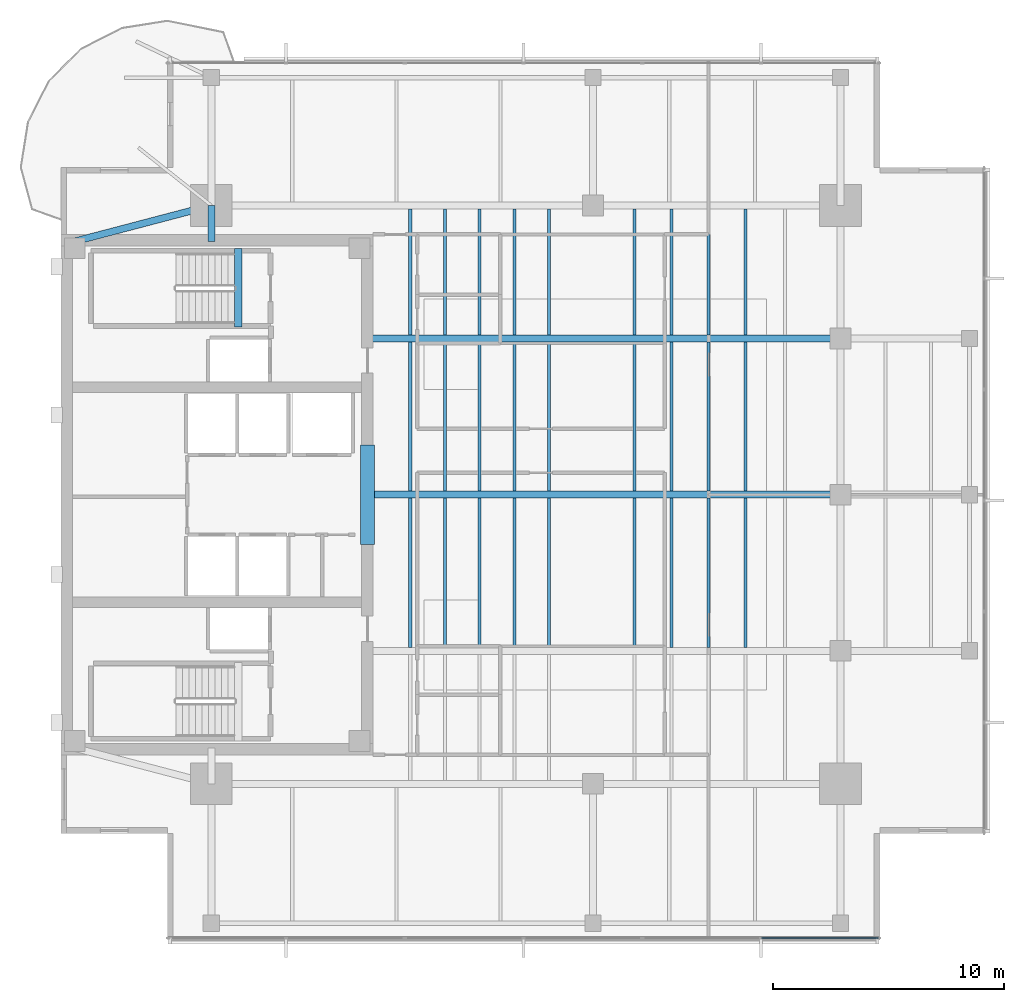
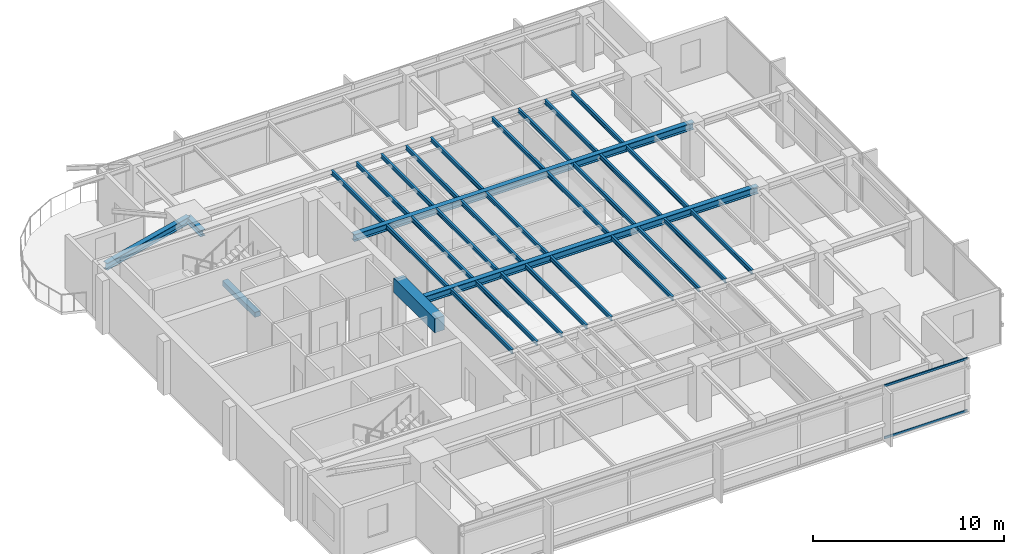
# One storey, part 3 of 14: 33 beams, 2 members, 1 element without a shape of its own.
"""IFC4 building model written with IfcOpenShell, lengths in metres."""

from ifc_helpers import new_model, si_unit, direction, frame, origin, origin_2d, place, context, subcontext, project, spatial, rectangle, i_section, extrude, material, layer, layer_set, material_profile, profile_set, type_object, element, aggregate, save


model = new_model("IFC4")

# Units and contexts
model_context = context("Model", 3, precision=1e-05, world=origin(), true_north=direction((0.0, 1.0)))
body_context = subcontext(model_context, "Body", "Model", "MODEL_VIEW")
ifc_project = project(units=[si_unit("LENGTHUNIT", "METRE"), si_unit("AREAUNIT", "SQUARE_METRE"), si_unit("VOLUMEUNIT", "CUBIC_METRE"), si_unit("PLANEANGLEUNIT", "RADIAN"), si_unit("MASSUNIT", "GRAM", prefix="KILO")], contexts=[model_context])

# Site, building, storey
site_placement = place(None, origin())
site = spatial("IfcSite", under=ifc_project, at=site_placement, CompositionType="ELEMENT")
building_placement = place(site_placement, origin())
building = spatial("IfcBuilding", under=site, at=building_placement, Name="Kinhvarn Gate Tower", CompositionType="ELEMENT")
storey_placement = place(building_placement, frame((0.0, 0.0, 267.0)))
storey = spatial("IfcBuildingStorey", under=building, at=storey_placement, Name="L71", CompositionType="ELEMENT", Elevation=267.0)

# Beams
ifc_material_1 = material(Name="Concrete C60/75", Category="concrete")
ifc_material_profile_1 = material_profile(ifc_material_1, rectangle(XDim=0.60009765625, YDim=0.89990234375, at=origin_2d()), Name="RC 600x900")
ifc_profile_set_1 = profile_set([ifc_material_profile_1], Name="Concrete C60/75")
beam_type_1 = type_object("IfcBeamType", Name="BM-CB-900", PredefinedType="LINTEL", material=ifc_profile_set_1)
beam_1_placement = place(storey_placement, frame((17.75, 23.10009765625, 2.93994140625), z_axis=(0.0, 1.0, 0.0), x_axis=(-1.0, 0.0, 0.0)))
element("IfcBeam", 1, at=beam_1_placement, inside=storey, type_object=beam_type_1, Name="Core East Portal Coupling Beam L71", PredefinedType="LINTEL", context=body_context, shape_type="SweptSolid", body=[
    extrude(rectangle(XDim=0.60009765625, YDim=0.89990234375, at=origin_2d()), origin(), (0.0, 0.0, 1.0), 4.2998046875),
])
ifc_material_2 = material(Name="Concrete C50/60", Category="concrete")
ifc_material_profile_2 = material_profile(ifc_material_2, rectangle(XDim=0.340087890625, YDim=0.320068359375, at=origin_2d()), Name="RC 340x320")
ifc_profile_set_2 = profile_set([ifc_material_profile_2], Name="Concrete C50/60")
beam_type_2 = type_object("IfcBeamType", Name="BM-LND-500", PredefinedType="BEAM", material=ifc_profile_set_2)
beam_2_placement = place(storey_placement, frame((12.1650390625, 32.5, -0.159912109375), z_axis=(0.0, 1.0, 0.0), x_axis=(-1.0, 0.0, 0.0)))
element("IfcBeam", 2, at=beam_2_placement, inside=storey, type_object=beam_type_2, Name="Stair ST2 Landing Nosing Beam (L71)", PredefinedType="BEAM", context=body_context, shape_type="SweptSolid", body=[
    extrude(rectangle(XDim=0.340087890625, YDim=0.320068359375, at=origin_2d()), origin(), (0.0, 0.0, 1.0), 3.39990234375),
])

# Curtain wall, members
ifc_material_3 = material(Name="Anodised aluminium AW-6063", Category="aluminium")
ifc_layer = layer(ifc_material_3, 0.179931640625)
ifc_layer_set = layer_set([ifc_layer], Name="Anodised aluminium AW-6063")
curtain_wall_type = type_object("IfcCurtainWallType", Name="CW-SYS-3", PredefinedType="NOTDEFINED", material=ifc_layer_set)
curtain_wall_placement = place(storey_placement, origin())
curtain_wall = element("IfcCurtainWall", 3, at=curtain_wall_placement, inside=storey, type_object=curtain_wall_type, Name="Curtain Wall CW3 (L71)", PredefinedType="NOTDEFINED")
ifc_material_profile_3 = material_profile(ifc_material_3, rectangle(XDim=0.070068359375, YDim=0.139892578125, at=origin_2d()), Name="ALU 70x140")
ifc_profile_set_3 = profile_set([ifc_material_profile_3], Name="Anodised aluminium AW-6063")
member_type = type_object("IfcMemberType", Name="CW-TRN-140", PredefinedType="USERDEFINED", material=ifc_profile_set_3)
member_1_placement = place(storey_placement, frame((34.799072265625, 6.090087890625, 0.034912109375), z_axis=(1.0, 0.0, 0.0), x_axis=(0.0, 1.0, 0.0)))
member_1 = element("IfcMember", 4, at=member_1_placement, type_object=member_type, Name="CW3 transom 6.1", ObjectType="TRANSOM", PredefinedType="USERDEFINED", context=body_context, shape_type="SweptSolid", body=[
    extrude(rectangle(XDim=0.070068359375, YDim=0.139892578125, at=origin_2d()), origin(), (0.0, 0.0, 1.0), 5.035888671875),
])
member_2_placement = place(storey_placement, frame((34.799072265625, 6.090087890625, 3.35498046875), z_axis=(1.0, 0.0, 0.0), x_axis=(0.0, 1.0, 0.0)))
member_2 = element("IfcMember", 5, at=member_2_placement, type_object=member_type, Name="CW3 transom 6.2", ObjectType="TRANSOM", PredefinedType="USERDEFINED", context=body_context, shape_type="SweptSolid", body=[
    extrude(rectangle(XDim=0.070068359375, YDim=0.139892578125, at=origin_2d()), origin(), (0.0, 0.0, 1.0), 5.035888671875),
])
aggregate(curtain_wall, [member_1, member_2])

# Beams
ifc_material_4 = material(Name="Steel S355", Category="steel")
ifc_material_profile_4 = material_profile(ifc_material_4, i_section(OverallWidth=0.300048828125, OverallDepth=0.39990234375, WebThickness=0.013427734375, FlangeThickness=0.02392578125, at=origin_2d()), Name="HEB 400")
ifc_profile_set_4 = profile_set([ifc_material_profile_4], Name="Steel S355")
beam_type_3 = type_object("IfcBeamType", Name="STL-HEB400", PredefinedType="BEAM", material=ifc_profile_set_4)
beam_3_placement = place(storey_placement, frame((11.0, 36.199951171875, 3.18994140625), z_axis=(0.0, 1.0, 0.0), x_axis=(-1.0, 0.0, 0.0)))
element("IfcBeam", 6, at=beam_3_placement, inside=storey, type_object=beam_type_3, Name="Floor Beam PG-12 (L71 MCW-CN)", PredefinedType="BEAM", context=body_context, shape_type="SweptSolid", body=[
    extrude(i_section(OverallWidth=0.300048828125, OverallDepth=0.39990234375, WebThickness=0.013427734375, FlangeThickness=0.02392578125, at=origin_2d()), origin(), (0.0, 0.0, 1.0), 1.550048828125),
])
ifc_material_profile_5 = material_profile(ifc_material_4, i_section(OverallWidth=0.300048828125, OverallDepth=0.449951171875, WebThickness=0.013916015625, FlangeThickness=0.02587890625, at=origin_2d()), Name="HEB 450")
ifc_profile_set_5 = profile_set([ifc_material_profile_5], Name="Steel S355")
beam_type_4 = type_object("IfcBeamType", Name="STL-HEB450", PredefinedType="BEAM", material=ifc_profile_set_5)
beam_4_placement = place(storey_placement, frame((5.10009765625, 36.199951171875, 3.1650390625), z_axis=(0.967177623957, 0.254101246979, 0.0), x_axis=(-0.254101246979, 0.967177623957, 0.0)))
element("IfcBeam", 7, at=beam_4_placement, inside=storey, type_object=beam_type_4, Name="Floor Beam PG-13 (L71 MG-NW-DIAG)", PredefinedType="BEAM", context=body_context, shape_type="SweptSolid", body=[
    extrude(i_section(OverallWidth=0.300048828125, OverallDepth=0.449951171875, WebThickness=0.013916015625, FlangeThickness=0.02587890625, at=origin_2d()), origin(), (0.0, 0.0, 1.0), 6.10009765625),
])
beam_5_placement = place(storey_placement, frame((18.050048828125, 25.25, 3.1650390625), z_axis=(1.0, 0.0, 0.0), x_axis=(0.0, 1.0, 0.0)))
element("IfcBeam", 8, at=beam_5_placement, inside=storey, type_object=beam_type_4, Name="Floor Beam PG-13 (L71 EW1-Y25)", PredefinedType="BEAM", context=body_context, shape_type="SweptSolid", body=[
    extrude(i_section(OverallWidth=0.300048828125, OverallDepth=0.449951171875, WebThickness=0.013916015625, FlangeThickness=0.02587890625, at=origin_2d()), origin(), (0.0, 0.0, 1.0), 20.14990234375),
])
beam_6_placement = place(storey_placement, frame((17.64990234375, 32.0, 3.1650390625), z_axis=(1.0, 0.0, 0.0), x_axis=(0.0, 1.0, 0.0)))
element("IfcBeam", 9, at=beam_6_placement, inside=storey, type_object=beam_type_4, Name="Floor Beam PG-13 (L71 EW1-Y32)", PredefinedType="BEAM", context=body_context, shape_type="SweptSolid", body=[
    extrude(i_section(OverallWidth=0.300048828125, OverallDepth=0.449951171875, WebThickness=0.013916015625, FlangeThickness=0.02587890625, at=origin_2d()), origin(), (0.0, 0.0, 1.0), 20.550048828125),
])
ifc_material_profile_6 = material_profile(ifc_material_4, i_section(OverallWidth=0.135009765625, OverallDepth=0.27001953125, WebThickness=0.006591796875, FlangeThickness=0.01025390625, at=origin_2d()), Name="IPE 270")
ifc_profile_set_6 = profile_set([ifc_material_profile_6], Name="Steel S355")
beam_type_5 = type_object("IfcBeamType", Name="STL-IPE270", PredefinedType="JOIST", material=ifc_profile_set_6)
for number, where, z_axis, x_axis, name in (
    (10, (19.60009765625, 18.64990234375, 3.2548828125), (0.0, 1.0, 0.0), (-1.0, 0.0, 0.0), "Floor Joist SB-01 (L71 JC-X196-1)"),
    (11, (19.60009765625, 25.39990234375, 3.2548828125), (0.0, 1.0, 0.0), (-1.0, 0.0, 0.0), "Floor Joist SB-01 (L71 JC-X196-2)"),
):
    element("IfcBeam", number, at=place(storey_placement, frame(where, z_axis=z_axis, x_axis=x_axis)), inside=storey, type_object=beam_type_5, Name=name, PredefinedType="JOIST", context=body_context, shape_type="SweptSolid", body=[
        extrude(i_section(OverallWidth=0.135009765625, OverallDepth=0.27001953125, WebThickness=0.006591796875, FlangeThickness=0.01025390625, at=origin_2d()), origin(), (0.0, 0.0, 1.0), 6.4501953125),
    ])
beam_7_placement = place(storey_placement, frame((19.60009765625, 32.14990234375, 3.2548828125), z_axis=(0.0, 1.0, 0.0), x_axis=(-1.0, 0.0, 0.0)))
element("IfcBeam", 12, at=beam_7_placement, inside=storey, type_object=beam_type_5, Name="Floor Joist SB-01 (L71 JC-X196-3)", PredefinedType="JOIST", context=body_context, shape_type="SweptSolid", body=[
    extrude(i_section(OverallWidth=0.135009765625, OverallDepth=0.27001953125, WebThickness=0.006591796875, FlangeThickness=0.01025390625, at=origin_2d()), origin(), (0.0, 0.0, 1.0), 5.4501953125),
])
for number, where, z_axis, x_axis, name in (
    (13, (21.10009765625, 18.64990234375, 3.2548828125), (0.0, 1.0, 0.0), (-1.0, 0.0, 0.0), "Floor Joist SB-01 (L71 JC-X211-1)"),
    (14, (21.10009765625, 25.39990234375, 3.2548828125), (0.0, 1.0, 0.0), (-1.0, 0.0, 0.0), "Floor Joist SB-01 (L71 JC-X211-2)"),
):
    element("IfcBeam", number, at=place(storey_placement, frame(where, z_axis=z_axis, x_axis=x_axis)), inside=storey, type_object=beam_type_5, Name=name, PredefinedType="JOIST", context=body_context, shape_type="SweptSolid", body=[
        extrude(i_section(OverallWidth=0.135009765625, OverallDepth=0.27001953125, WebThickness=0.006591796875, FlangeThickness=0.01025390625, at=origin_2d()), origin(), (0.0, 0.0, 1.0), 6.4501953125),
    ])
beam_8_placement = place(storey_placement, frame((21.10009765625, 32.14990234375, 3.2548828125), z_axis=(0.0, 1.0, 0.0), x_axis=(-1.0, 0.0, 0.0)))
element("IfcBeam", 15, at=beam_8_placement, inside=storey, type_object=beam_type_5, Name="Floor Joist SB-01 (L71 JC-X211-3)", PredefinedType="JOIST", context=body_context, shape_type="SweptSolid", body=[
    extrude(i_section(OverallWidth=0.135009765625, OverallDepth=0.27001953125, WebThickness=0.006591796875, FlangeThickness=0.01025390625, at=origin_2d()), origin(), (0.0, 0.0, 1.0), 5.4501953125),
])
for number, where, z_axis, x_axis, name in (
    (16, (22.60009765625, 18.64990234375, 3.2548828125), (0.0, 1.0, 0.0), (-1.0, 0.0, 0.0), "Floor Joist SB-01 (L71 JC-X226-1)"),
    (17, (22.60009765625, 25.39990234375, 3.2548828125), (0.0, 1.0, 0.0), (-1.0, 0.0, 0.0), "Floor Joist SB-01 (L71 JC-X226-2)"),
):
    element("IfcBeam", number, at=place(storey_placement, frame(where, z_axis=z_axis, x_axis=x_axis)), inside=storey, type_object=beam_type_5, Name=name, PredefinedType="JOIST", context=body_context, shape_type="SweptSolid", body=[
        extrude(i_section(OverallWidth=0.135009765625, OverallDepth=0.27001953125, WebThickness=0.006591796875, FlangeThickness=0.01025390625, at=origin_2d()), origin(), (0.0, 0.0, 1.0), 6.4501953125),
    ])
beam_9_placement = place(storey_placement, frame((22.60009765625, 32.14990234375, 3.2548828125), z_axis=(0.0, 1.0, 0.0), x_axis=(-1.0, 0.0, 0.0)))
element("IfcBeam", 18, at=beam_9_placement, inside=storey, type_object=beam_type_5, Name="Floor Joist SB-01 (L71 JC-X226-3)", PredefinedType="JOIST", context=body_context, shape_type="SweptSolid", body=[
    extrude(i_section(OverallWidth=0.135009765625, OverallDepth=0.27001953125, WebThickness=0.006591796875, FlangeThickness=0.01025390625, at=origin_2d()), origin(), (0.0, 0.0, 1.0), 5.4501953125),
])
for number, where, z_axis, x_axis, name in (
    (19, (24.10009765625, 18.64990234375, 3.2548828125), (0.0, 1.0, 0.0), (-1.0, 0.0, 0.0), "Floor Joist SB-01 (L71 JC-X241-1)"),
    (20, (24.10009765625, 25.39990234375, 3.2548828125), (0.0, 1.0, 0.0), (-1.0, 0.0, 0.0), "Floor Joist SB-01 (L71 JC-X241-2)"),
):
    element("IfcBeam", number, at=place(storey_placement, frame(where, z_axis=z_axis, x_axis=x_axis)), inside=storey, type_object=beam_type_5, Name=name, PredefinedType="JOIST", context=body_context, shape_type="SweptSolid", body=[
        extrude(i_section(OverallWidth=0.135009765625, OverallDepth=0.27001953125, WebThickness=0.006591796875, FlangeThickness=0.01025390625, at=origin_2d()), origin(), (0.0, 0.0, 1.0), 6.4501953125),
    ])
beam_10_placement = place(storey_placement, frame((24.10009765625, 32.14990234375, 3.2548828125), z_axis=(0.0, 1.0, 0.0), x_axis=(-1.0, 0.0, 0.0)))
element("IfcBeam", 21, at=beam_10_placement, inside=storey, type_object=beam_type_5, Name="Floor Joist SB-01 (L71 JC-X241-3)", PredefinedType="JOIST", context=body_context, shape_type="SweptSolid", body=[
    extrude(i_section(OverallWidth=0.135009765625, OverallDepth=0.27001953125, WebThickness=0.006591796875, FlangeThickness=0.01025390625, at=origin_2d()), origin(), (0.0, 0.0, 1.0), 5.4501953125),
])
for number, where, z_axis, x_axis, name in (
    (22, (25.60009765625, 18.64990234375, 3.2548828125), (0.0, 1.0, 0.0), (-1.0, 0.0, 0.0), "Floor Joist SB-01 (L71 JC-X256-1)"),
    (23, (25.60009765625, 25.39990234375, 3.2548828125), (0.0, 1.0, 0.0), (-1.0, 0.0, 0.0), "Floor Joist SB-01 (L71 JC-X256-2)"),
):
    element("IfcBeam", number, at=place(storey_placement, frame(where, z_axis=z_axis, x_axis=x_axis)), inside=storey, type_object=beam_type_5, Name=name, PredefinedType="JOIST", context=body_context, shape_type="SweptSolid", body=[
        extrude(i_section(OverallWidth=0.135009765625, OverallDepth=0.27001953125, WebThickness=0.006591796875, FlangeThickness=0.01025390625, at=origin_2d()), origin(), (0.0, 0.0, 1.0), 6.4501953125),
    ])
beam_11_placement = place(storey_placement, frame((25.60009765625, 32.14990234375, 3.2548828125), z_axis=(0.0, 1.0, 0.0), x_axis=(-1.0, 0.0, 0.0)))
element("IfcBeam", 24, at=beam_11_placement, inside=storey, type_object=beam_type_5, Name="Floor Joist SB-01 (L71 JC-X256-3)", PredefinedType="JOIST", context=body_context, shape_type="SweptSolid", body=[
    extrude(i_section(OverallWidth=0.135009765625, OverallDepth=0.27001953125, WebThickness=0.006591796875, FlangeThickness=0.01025390625, at=origin_2d()), origin(), (0.0, 0.0, 1.0), 5.4501953125),
])
for number, where, z_axis, x_axis, name in (
    (25, (29.300048828125, 18.64990234375, 3.2548828125), (0.0, 1.0, 0.0), (-1.0, 0.0, 0.0), "Floor Joist SB-01 (L71 JC-X293-1)"),
    (26, (29.300048828125, 25.39990234375, 3.2548828125), (0.0, 1.0, 0.0), (-1.0, 0.0, 0.0), "Floor Joist SB-01 (L71 JC-X293-2)"),
):
    element("IfcBeam", number, at=place(storey_placement, frame(where, z_axis=z_axis, x_axis=x_axis)), inside=storey, type_object=beam_type_5, Name=name, PredefinedType="JOIST", context=body_context, shape_type="SweptSolid", body=[
        extrude(i_section(OverallWidth=0.135009765625, OverallDepth=0.27001953125, WebThickness=0.006591796875, FlangeThickness=0.01025390625, at=origin_2d()), origin(), (0.0, 0.0, 1.0), 6.4501953125),
    ])
beam_12_placement = place(storey_placement, frame((29.300048828125, 32.14990234375, 3.2548828125), z_axis=(0.0, 1.0, 0.0), x_axis=(-1.0, 0.0, 0.0)))
element("IfcBeam", 27, at=beam_12_placement, inside=storey, type_object=beam_type_5, Name="Floor Joist SB-01 (L71 JC-X293-3)", PredefinedType="JOIST", context=body_context, shape_type="SweptSolid", body=[
    extrude(i_section(OverallWidth=0.135009765625, OverallDepth=0.27001953125, WebThickness=0.006591796875, FlangeThickness=0.01025390625, at=origin_2d()), origin(), (0.0, 0.0, 1.0), 5.4501953125),
])
for number, where, z_axis, x_axis, name in (
    (28, (30.89990234375, 18.64990234375, 3.2548828125), (0.0, 1.0, 0.0), (-1.0, 0.0, 0.0), "Floor Joist SB-01 (L71 JC-X309-1)"),
    (29, (30.89990234375, 25.39990234375, 3.2548828125), (0.0, 1.0, 0.0), (-1.0, 0.0, 0.0), "Floor Joist SB-01 (L71 JC-X309-2)"),
):
    element("IfcBeam", number, at=place(storey_placement, frame(where, z_axis=z_axis, x_axis=x_axis)), inside=storey, type_object=beam_type_5, Name=name, PredefinedType="JOIST", context=body_context, shape_type="SweptSolid", body=[
        extrude(i_section(OverallWidth=0.135009765625, OverallDepth=0.27001953125, WebThickness=0.006591796875, FlangeThickness=0.01025390625, at=origin_2d()), origin(), (0.0, 0.0, 1.0), 6.4501953125),
    ])
beam_13_placement = place(storey_placement, frame((30.89990234375, 32.14990234375, 3.2548828125), z_axis=(0.0, 1.0, 0.0), x_axis=(-1.0, 0.0, 0.0)))
element("IfcBeam", 30, at=beam_13_placement, inside=storey, type_object=beam_type_5, Name="Floor Joist SB-01 (L71 JC-X309-3)", PredefinedType="JOIST", context=body_context, shape_type="SweptSolid", body=[
    extrude(i_section(OverallWidth=0.135009765625, OverallDepth=0.27001953125, WebThickness=0.006591796875, FlangeThickness=0.01025390625, at=origin_2d()), origin(), (0.0, 0.0, 1.0), 5.4501953125),
])
for number, where, z_axis, x_axis, name in (
    (31, (32.5, 18.64990234375, 3.2548828125), (0.0, 1.0, 0.0), (-1.0, 0.0, 0.0), "Floor Joist SB-01 (L71 JC-X325-1)"),
    (32, (32.5, 25.39990234375, 3.2548828125), (0.0, 1.0, 0.0), (-1.0, 0.0, 0.0), "Floor Joist SB-01 (L71 JC-X325-2)"),
):
    element("IfcBeam", number, at=place(storey_placement, frame(where, z_axis=z_axis, x_axis=x_axis)), inside=storey, type_object=beam_type_5, Name=name, PredefinedType="JOIST", context=body_context, shape_type="SweptSolid", body=[
        extrude(i_section(OverallWidth=0.135009765625, OverallDepth=0.27001953125, WebThickness=0.006591796875, FlangeThickness=0.01025390625, at=origin_2d()), origin(), (0.0, 0.0, 1.0), 6.4501953125),
    ])
beam_14_placement = place(storey_placement, frame((32.5, 32.14990234375, 3.2548828125), z_axis=(0.0, 1.0, 0.0), x_axis=(-1.0, 0.0, 0.0)))
element("IfcBeam", 33, at=beam_14_placement, inside=storey, type_object=beam_type_5, Name="Floor Joist SB-01 (L71 JC-X325-3)", PredefinedType="JOIST", context=body_context, shape_type="SweptSolid", body=[
    extrude(i_section(OverallWidth=0.135009765625, OverallDepth=0.27001953125, WebThickness=0.006591796875, FlangeThickness=0.01025390625, at=origin_2d()), origin(), (0.0, 0.0, 1.0), 5.4501953125),
])
for number, where, z_axis, x_axis, name in (
    (34, (34.10009765625, 18.64990234375, 3.2548828125), (0.0, 1.0, 0.0), (-1.0, 0.0, 0.0), "Floor Joist SB-01 (L71 JC-X341-1)"),
    (35, (34.10009765625, 25.39990234375, 3.2548828125), (0.0, 1.0, 0.0), (-1.0, 0.0, 0.0), "Floor Joist SB-01 (L71 JC-X341-2)"),
):
    element("IfcBeam", number, at=place(storey_placement, frame(where, z_axis=z_axis, x_axis=x_axis)), inside=storey, type_object=beam_type_5, Name=name, PredefinedType="JOIST", context=body_context, shape_type="SweptSolid", body=[
        extrude(i_section(OverallWidth=0.135009765625, OverallDepth=0.27001953125, WebThickness=0.006591796875, FlangeThickness=0.01025390625, at=origin_2d()), origin(), (0.0, 0.0, 1.0), 6.4501953125),
    ])
beam_15_placement = place(storey_placement, frame((34.10009765625, 32.14990234375, 3.2548828125), z_axis=(0.0, 1.0, 0.0), x_axis=(-1.0, 0.0, 0.0)))
element("IfcBeam", 36, at=beam_15_placement, inside=storey, type_object=beam_type_5, Name="Floor Joist SB-01 (L71 JC-X341-3)", PredefinedType="JOIST", context=body_context, shape_type="SweptSolid", body=[
    extrude(i_section(OverallWidth=0.135009765625, OverallDepth=0.27001953125, WebThickness=0.006591796875, FlangeThickness=0.01025390625, at=origin_2d()), origin(), (0.0, 0.0, 1.0), 5.4501953125),
])

save(model, "model.ifc")
